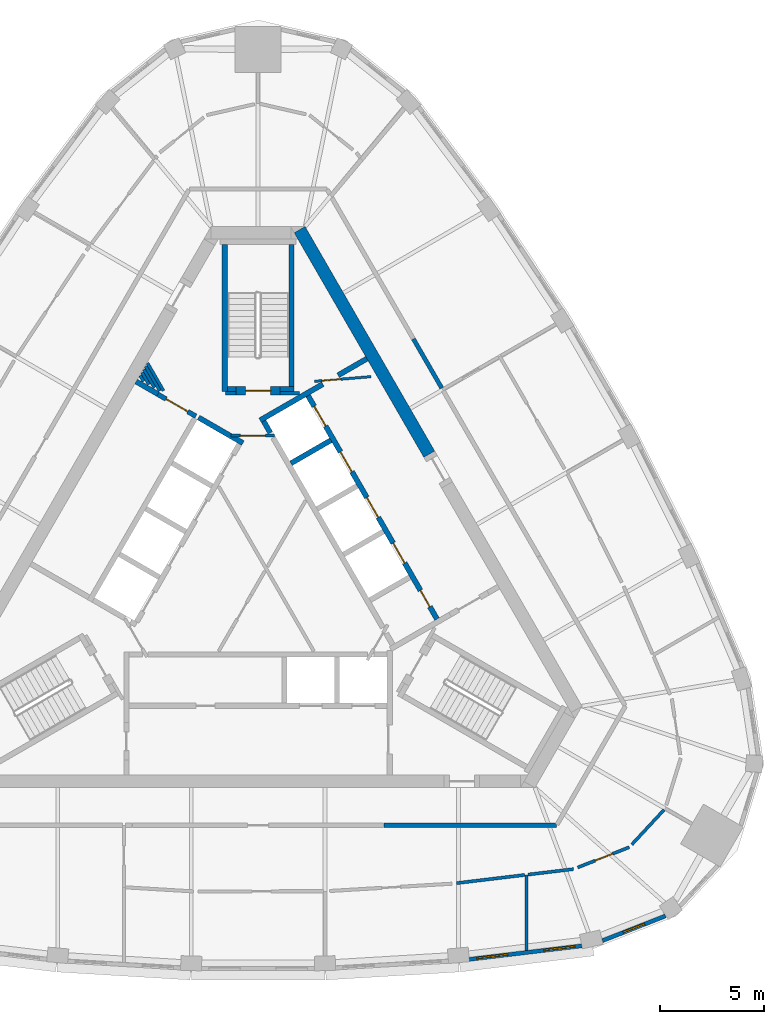
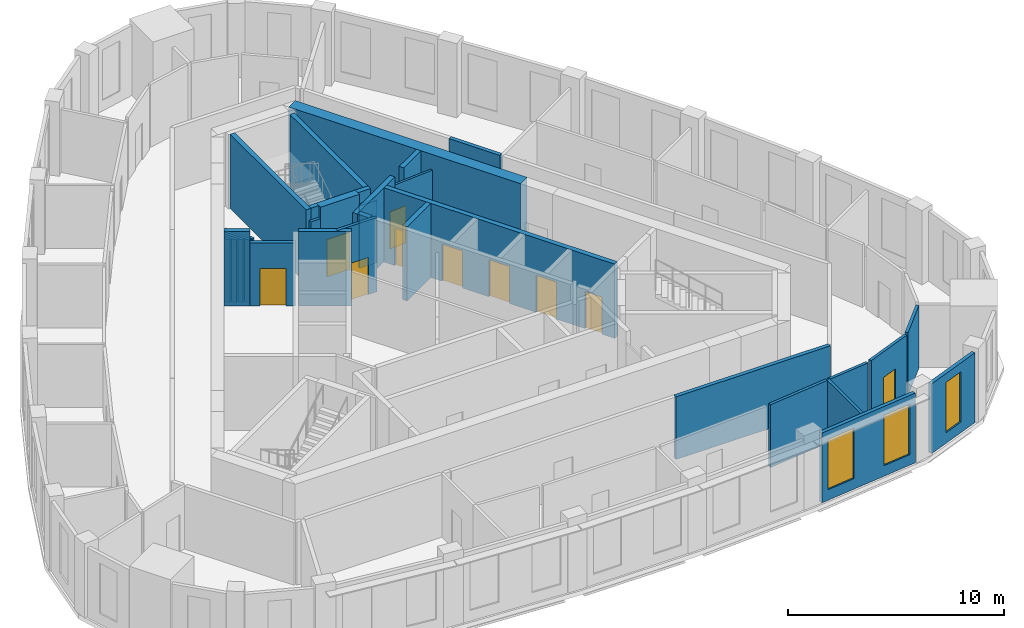
# One storey, part 6 of 10: 32 walls, 10 doors, 3 windows, 13 openings.
"""IFC4 building model written with IfcOpenShell, lengths in metres."""

from ifc_helpers import new_model, si_unit, direction, frame, frame_2d, origin, place, context, subcontext, project, spatial, polyline, rectangle, outline, extrude, material, layer, layer_set, type_object, element, fill, save


model = new_model("IFC4")

# Units and contexts
model_context = context("Model", 3, precision=1e-05, world=origin(), true_north=direction((0.0, 1.0)))
body_context = subcontext(model_context, "Body", "Model", "MODEL_VIEW")
ifc_project = project(units=[si_unit("LENGTHUNIT", "METRE"), si_unit("AREAUNIT", "SQUARE_METRE"), si_unit("VOLUMEUNIT", "CUBIC_METRE"), si_unit("PLANEANGLEUNIT", "RADIAN"), si_unit("MASSUNIT", "GRAM", prefix="KILO")], contexts=[model_context])

# Site, building, storey
site_placement = place(None, origin())
site = spatial("IfcSite", under=ifc_project, at=site_placement, CompositionType="ELEMENT")
building_placement = place(site_placement, origin())
building = spatial("IfcBuilding", under=site, at=building_placement, Name="Mestral Congress Tower", CompositionType="ELEMENT")
storey_placement = place(building_placement, frame((0.0, 0.0, 279.60009765625)))
storey = spatial("IfcBuildingStorey", under=building, at=storey_placement, Name="L65", CompositionType="ELEMENT", Elevation=279.60009765625)

# Walls
ifc_material_1 = material(Name="Fire-rated board partition")
ifc_layer_1 = layer(ifc_material_1, 0.14990234375)
ifc_layer_set_1 = layer_set([ifc_layer_1], Name="Fire-rated board partition")
wall_type_1 = type_object("IfcWallType", Name="Core partition 150", PredefinedType="PARTITIONING", material=ifc_layer_set_1)
wall_1_placement = place(storey_placement, frame((-5.2939453125, 10.067138671875, 0.0), z_axis=(0.0, 0.0, 1.0), x_axis=(0.500054140411, -0.865994143547, 0.0)))
element("IfcWall", 1, at=wall_1_placement, inside=storey, type_object=wall_type_1, Name="L65 core wall", PredefinedType="PARTITIONING", context=body_context, shape_type="SweptSolid", body=[
    extrude(rectangle(XDim=1.529052734375, YDim=0.14990234375, at=frame_2d((0.7646484375, 0.0))), origin(), (0.0, 0.0, 1.0), 3.5498046875),
])
wall_2_placement = place(storey_placement, frame((-5.380615234375, 9.917236328125, 0.0), z_axis=(0.0, 0.0, 1.0), x_axis=(0.500136970483, -0.865946309396, 0.0)))
element("IfcWall", 2, at=wall_2_placement, inside=storey, type_object=wall_type_1, Name="L65 core wall", PredefinedType="PARTITIONING", context=body_context, shape_type="SweptSolid", body=[
    extrude(rectangle(XDim=1.359375, YDim=0.14990234375, at=frame_2d((0.6796875, 0.0))), origin(), (0.0, 0.0, 1.0), 3.5498046875),
])
wall_3_placement = place(storey_placement, frame((-5.467041015625, 9.76708984375, 0.0), z_axis=(0.0, 0.0, 1.0), x_axis=(0.500168849293, -0.86592789665, 0.0)))
element("IfcWall", 3, at=wall_3_placement, inside=storey, type_object=wall_type_1, Name="L65 core wall", PredefinedType="PARTITIONING", context=body_context, shape_type="SweptSolid", body=[
    extrude(rectangle(XDim=1.010009765625, YDim=0.14990234375, at=frame_2d((0.5048828125, 0.0))), origin(), (0.0, 0.0, 1.0), 3.5498046875),
])
wall_4_placement = place(storey_placement, frame((-5.5537109375, 9.6171875, 0.0), z_axis=(0.0, 0.0, 1.0), x_axis=(0.500253084543, -0.86587923604, 0.0)))
element("IfcWall", 4, at=wall_4_placement, inside=storey, type_object=wall_type_1, Name="L65 core wall", PredefinedType="PARTITIONING", context=body_context, shape_type="SweptSolid", body=[
    extrude(rectangle(XDim=0.663818359375, YDim=0.14990234375, at=frame_2d((0.33203125, 0.0))), origin(), (0.0, 0.0, 1.0), 3.5498046875),
])
wall_5_placement = place(storey_placement, frame((-5.640380859375, 9.46728515625, 0.0), z_axis=(0.0, 0.0, 1.0), x_axis=(0.499944387978, -0.86605750902, 0.0)))
element("IfcWall", 5, at=wall_5_placement, inside=storey, type_object=wall_type_1, Name="L65 core wall", PredefinedType="PARTITIONING", context=body_context, shape_type="SweptSolid", body=[
    extrude(rectangle(XDim=0.3173828125, YDim=0.14990234375, at=frame_2d((0.15869140625, 0.0))), origin(), (0.0, 0.0, 1.0), 3.5498046875),
])
wall_6_placement = place(storey_placement, frame((1.050048828125, 8.62548828125, 0.0), z_axis=(0.0, 0.0, 1.0), x_axis=(1.0, 0.0, 0.0)))
element("IfcWall", 6, at=wall_6_placement, inside=storey, type_object=wall_type_1, Name="L65 core wall", PredefinedType="PARTITIONING", context=body_context, shape_type="SweptSolid", body=[
    extrude(rectangle(XDim=0.9287109375, YDim=0.14990234375, at=frame_2d((0.46435546875, 0.0))), origin(), (0.0, 0.0, 1.0), 3.5498046875),
])
wall_7_placement = place(storey_placement, frame((-1.56396484375, 8.62548828125, 0.0), z_axis=(0.0, 0.0, 1.0), x_axis=(1.0, 0.0, 0.0)))
element("IfcWall", 7, at=wall_7_placement, inside=storey, type_object=wall_type_1, Name="L65 core wall", PredefinedType="PARTITIONING", context=body_context, shape_type="SweptSolid", body=[
    extrude(rectangle(XDim=0.513916015625, YDim=0.14990234375, at=frame_2d((0.2568359375, 0.0))), origin(), (0.0, 0.0, 1.0), 3.5498046875),
])

# Wall, opening, door
ifc_layer_2 = layer(ifc_material_1, 0.1201171875)
ifc_layer_set_2 = layer_set([ifc_layer_2], Name="Fire-rated board partition")
wall_type_2 = type_object("IfcWallType", Name="Core partition 150 door-wall 120", PredefinedType="PARTITIONING", material=ifc_layer_set_2)
wall_8_placement = place(storey_placement, frame((5.3984375, 9.418701171875, 0.0), z_axis=(0.0, 0.0, 1.0), x_axis=(-0.996653416376, -0.081743303248, 0.0)))
wall_8 = element("IfcWall", 8, at=wall_8_placement, inside=storey, type_object=wall_type_2, Name="L65 door wall", PredefinedType="PARTITIONING", context=body_context, shape_type="SweptSolid", body=[
    extrude(rectangle(XDim=2.699951171875, YDim=0.119873046875, at=frame_2d((1.35009765625, 0.0))), origin(), (0.0, 0.0, 1.0), 3.5498046875),
])
opening_1_placement = place(wall_8_placement, frame((1.449951171875, 0.0, 0.0)))
opening_1 = element("IfcOpeningElement", 9, at=opening_1_placement, cuts=wall_8, Name="Opening TD2", PredefinedType="OPENING", context=body_context, shape_type="SweptSolid", body=[
    extrude(rectangle(XDim=0.89990234375, YDim=2.10009765625, at=frame_2d((0.449951171875, 1.050048828125))), frame((0.0, 0.06982421875, 0.0), z_axis=(0.0, -1.0, 0.0), x_axis=(1.0, 0.0, 0.0)), (0.0, 0.0, 1.0), 0.139892578125),
])
ifc_material_2 = material(Name="Fire-rated steel door set", Category="steel")
door_type_1 = type_object("IfcDoorType", Name="Core door SR 900x2100", OperationType="SINGLE_SWING_LEFT", PredefinedType="DOOR", material=ifc_material_2)
door_1_placement = place(opening_1_placement, origin())
door_1 = element("IfcDoor", 10, at=door_1_placement, inside=storey, type_object=door_type_1, Name="Door TD2", OperationType="SINGLE_SWING_LEFT", OverallHeight=2.10009765625, OverallWidth=0.89990234375, PredefinedType="DOOR", context=body_context, shape_type="SweptSolid", body=[
    extrude(rectangle(XDim=0.89990234375, YDim=2.10009765625, at=frame_2d((0.449951171875, 1.050048828125))), frame((0.0, 0.02490234375, 0.0), z_axis=(0.0, -1.0, 0.0), x_axis=(1.0, 0.0, 0.0)), (0.0, 0.0, 1.0), 0.050048828125),
])
fill(opening_1, door_1)

ifc_layer_3 = layer(ifc_material_1, 0.22607421875)
ifc_layer_set_3 = layer_set([ifc_layer_3], Name="Fire-rated board partition")
wall_type_3 = type_object("IfcWallType", Name="Core partition 150 door-wall 226", PredefinedType="PARTITIONING", material=ifc_layer_set_3)
wall_9_placement = place(storey_placement, frame((-4.796142578125, 8.5751953125, 0.0), z_axis=(0.0, 0.0, 1.0), x_axis=(0.866009402589, -0.500027713859, 0.0)))
wall_9 = element("IfcWall", 11, at=wall_9_placement, inside=storey, type_object=wall_type_3, Name="L65 door wall", PredefinedType="PARTITIONING", context=body_context, shape_type="SweptSolid", body=[
    extrude(rectangle(XDim=2.10009765625, YDim=0.226318359375, at=frame_2d((1.050048828125, 0.0))), origin(), (0.0, 0.0, 1.0), 3.5498046875),
])
opening_2_placement = place(wall_9_placement, frame((0.449951171875, 0.0, 0.0)))
opening_2 = element("IfcOpeningElement", 12, at=opening_2_placement, cuts=wall_9, Name="Opening LB2-WL2", PredefinedType="OPENING", context=body_context, shape_type="SweptSolid", body=[
    extrude(rectangle(XDim=1.199951171875, YDim=2.10009765625, at=frame_2d((0.60009765625, 1.050048828125))), frame((0.0, 0.123046875, 0.0), z_axis=(0.0, -1.0, 0.0), x_axis=(1.0, 0.0, 0.0)), (0.0, 0.0, 1.0), 0.246337890625),
])
door_type_2 = type_object("IfcDoorType", Name="Core door LB 1200x2100", OperationType="SINGLE_SWING_LEFT", PredefinedType="DOOR", material=ifc_material_2)
door_2_placement = place(opening_2_placement, origin())
door_2 = element("IfcDoor", 13, at=door_2_placement, inside=storey, type_object=door_type_2, Name="Door LB2-WL2", OperationType="SINGLE_SWING_LEFT", OverallHeight=2.10009765625, OverallWidth=1.199951171875, PredefinedType="DOOR", context=body_context, shape_type="SweptSolid", body=[
    extrude(rectangle(XDim=1.199951171875, YDim=2.10009765625, at=frame_2d((0.60009765625, 1.050048828125))), frame((0.0, 0.02490234375, 0.0), z_axis=(0.0, -1.0, 0.0), x_axis=(1.0, 0.0, 0.0)), (0.0, 0.0, 1.0), 0.050048828125),
])
fill(opening_2, door_2)

# Wall
ifc_material_3 = material(Name="Concrete C60/75", Category="concrete")
ifc_layer_4 = layer(ifc_material_3, 0.60009765625)
ifc_layer_set_4 = layer_set([ifc_layer_4], Name="Concrete C60/75")
wall_type_4 = type_object("IfcWallType", Name="Core wall RC 600", PredefinedType="SOLIDWALL", material=ifc_layer_set_4)
wall_10_placement = place(storey_placement, frame((1.98876953125, 16.45556640625, 0.0), z_axis=(0.0, 0.0, 1.0), x_axis=(0.49999102663, -0.8660305845, 0.0)))
element("IfcWall", 14, at=wall_10_placement, inside=storey, type_object=wall_type_4, Name="L65 core wall", PredefinedType="SOLIDWALL", context=body_context, shape_type="SweptSolid", body=[
    extrude(rectangle(XDim=12.406494140625, YDim=0.60009765625, at=frame_2d((6.203125, 0.0))), origin(), (0.0, 0.0, 1.0), 4.199951171875),
])

# Wall, openings, windows
ifc_material_4 = material(Name="Precast concrete C40/50 with limestone facing", Category="masonry")
ifc_layer_5 = layer(ifc_material_4, 0.18994140625)
ifc_layer_set_5 = layer_set([ifc_layer_5], Name="Precast concrete C40/50 with limestone facing")
wall_type_5 = type_object("IfcWallType", Name="Facade stone wall 190", PredefinedType="SOLIDWALL", material=ifc_layer_set_5)
wall_11_placement = place(storey_placement, frame((10.110595703125, -18.4677734375, 0.0), z_axis=(0.0, 0.0, 1.0), x_axis=(0.992885582795, 0.119072328769, 0.0)))
wall_11 = element("IfcWall", 15, at=wall_11_placement, inside=storey, type_object=wall_type_5, Name="Facade wall F0-04", PredefinedType="SOLIDWALL", context=body_context, shape_type="SweptSolid", body=[
    extrude(rectangle(XDim=5.4150390625, YDim=0.18994140625, at=frame_2d((2.70751953125, 0.0))), origin(), (0.0, 0.0, 1.0), 3.949951171875),
])
opening_3_placement = place(wall_11_placement, frame((0.357421875, 0.0, 0.60009765625)))
opening_3 = element("IfcOpeningElement", 16, at=opening_3_placement, cuts=wall_11, Name="Opening W6", PredefinedType="OPENING", context=body_context, shape_type="SweptSolid", body=[
    extrude(rectangle(XDim=1.5, YDim=2.85009765625, at=frame_2d((0.75, 1.425048828125))), frame((0.0, 0.10498046875, 0.0), z_axis=(0.0, -1.0, 0.0), x_axis=(1.0, 0.0, 0.0)), (0.0, 0.0, 1.0), 0.2099609375),
])
opening_4_placement = place(wall_11_placement, frame((3.592529296875, 0.0, 0.60009765625)))
opening_4 = element("IfcOpeningElement", 17, at=opening_4_placement, cuts=wall_11, Name="Opening W6", PredefinedType="OPENING", context=body_context, shape_type="SweptSolid", body=[
    extrude(rectangle(XDim=1.5, YDim=2.85009765625, at=frame_2d((0.75, 1.425048828125))), frame((0.0, 0.10498046875, 0.0), z_axis=(0.0, -1.0, 0.0), x_axis=(1.0, 0.0, 0.0)), (0.0, 0.0, 1.0), 0.2099609375),
])
ifc_material_5 = material(Name="Clear low-emissivity double glazing", Category="glass")
window_type_1 = type_object("IfcWindowType", Name="Facade punched window 1500 x 2850 sill 600", PartitioningType="SINGLE_PANEL", PredefinedType="WINDOW", material=ifc_material_5)
window_1_placement = place(opening_3_placement, origin())
window_1 = element("IfcWindow", 18, at=window_1_placement, inside=storey, type_object=window_type_1, Name="Window F0-04a", OverallHeight=2.85009765625, OverallWidth=1.5, PartitioningType="SINGLE_PANEL", PredefinedType="WINDOW", context=body_context, shape_type="SweptSolid", body=[
    extrude(rectangle(XDim=1.5, YDim=2.85009765625, at=frame_2d((0.75, 1.425048828125))), frame((0.0, 0.044921875, 0.0), z_axis=(0.0, -1.0, 0.0), x_axis=(1.0, 0.0, 0.0)), (0.0, 0.0, 1.0), 0.06005859375),
])
fill(opening_3, window_1)
window_2_placement = place(opening_4_placement, origin())
window_2 = element("IfcWindow", 19, at=window_2_placement, inside=storey, type_object=window_type_1, Name="Window F0-04b", OverallHeight=2.85009765625, OverallWidth=1.5, PartitioningType="SINGLE_PANEL", PredefinedType="WINDOW", context=body_context, shape_type="SweptSolid", body=[
    extrude(rectangle(XDim=1.5, YDim=2.85009765625, at=frame_2d((0.75, 1.425048828125))), frame((0.0, 0.044921875, 0.0), z_axis=(0.0, -1.0, 0.0), x_axis=(1.0, 0.0, 0.0)), (0.0, 0.0, 1.0), 0.06005859375),
])
fill(opening_4, window_2)

# Wall, opening, window
wall_12_placement = place(storey_placement, frame((16.48291015625, -17.572998046875, 0.0), z_axis=(0.0, 0.0, 1.0), x_axis=(0.93100888477, 0.364996515709, 0.0)))
wall_12 = element("IfcWall", 20, at=wall_12_placement, inside=storey, type_object=wall_type_5, Name="Facade wall K0-0", PredefinedType="SOLIDWALL", context=body_context, shape_type="SweptSolid", body=[
    extrude(rectangle(XDim=3.23681640625, YDim=0.18994140625, at=frame_2d((1.618408203125, 0.0))), origin(), (0.0, 0.0, 1.0), 3.949951171875),
])
opening_5_placement = place(wall_12_placement, frame((1.068359375, 0.0, 0.60009765625)))
opening_5 = element("IfcOpeningElement", 21, at=opening_5_placement, cuts=wall_12, Name="Opening W7", PredefinedType="OPENING", context=body_context, shape_type="SweptSolid", body=[
    extrude(rectangle(XDim=1.10009765625, YDim=2.85009765625, at=frame_2d((0.550048828125, 1.425048828125))), frame((0.0, 0.10498046875, 0.0), z_axis=(0.0, -1.0, 0.0), x_axis=(1.0, 0.0, 0.0)), (0.0, 0.0, 1.0), 0.2099609375),
])
window_type_2 = type_object("IfcWindowType", Name="Facade punched window 1100 x 2850 sill 600", PartitioningType="SINGLE_PANEL", PredefinedType="WINDOW", material=ifc_material_5)
window_3_placement = place(opening_5_placement, origin())
window_3 = element("IfcWindow", 22, at=window_3_placement, inside=storey, type_object=window_type_2, Name="Window K0-0", OverallHeight=2.85009765625, OverallWidth=1.10009765625, PartitioningType="SINGLE_PANEL", PredefinedType="WINDOW", context=body_context, shape_type="SweptSolid", body=[
    extrude(rectangle(XDim=1.10009765625, YDim=2.85009765625, at=frame_2d((0.550048828125, 1.425048828125))), frame((0.0, 0.044921875, 0.0), z_axis=(0.0, -1.0, 0.0), x_axis=(1.0, 0.0, 0.0)), (0.0, 0.0, 1.0), 0.06005859375),
])
fill(opening_5, window_3)

# Walls
ifc_material_6 = material(Name="Plasterboard partition on steel studs", Category="steel")
ifc_layer_6 = layer(ifc_material_6, 0.14990234375)
ifc_layer_set_6 = layer_set([ifc_layer_6], Name="Plasterboard partition on steel studs")
wall_type_6 = type_object("IfcWallType", Name="Office partition 150", PredefinedType="PARTITIONING", material=ifc_layer_set_6)
wall_13_placement = place(storey_placement, frame((12.83935546875, -14.419189453125, 0.0), z_axis=(0.0, 0.0, 1.0), x_axis=(0.0, -1.0, 0.0)))
element("IfcWall", 23, at=wall_13_placement, inside=storey, type_object=wall_type_6, Name="Partition", PredefinedType="PARTITIONING", context=body_context, shape_type="SweptSolid", body=[
    extrude(rectangle(XDim=3.625732421875, YDim=0.14990234375, at=frame_2d((1.81298828125, 0.0))), origin(), (0.0, 0.0, 1.0), 3.5498046875),
])
wall_14_placement = place(storey_placement, frame((9.492431640625, -14.8203125, 0.0), z_axis=(0.0, 0.0, 1.0), x_axis=(0.992887701721, 0.119054658757, 0.0)))
element("IfcWall", 24, at=wall_14_placement, inside=storey, type_object=wall_type_6, Name="Partition", PredefinedType="PARTITIONING", context=body_context, shape_type="SweptSolid", body=[
    extrude(rectangle(XDim=3.29541015625, YDim=0.14990234375, at=frame_2d((1.647705078125, 0.0))), origin(), (0.0, 0.0, 1.0), 3.5498046875),
])
wall_15_placement = place(storey_placement, frame((12.914306640625, -14.41015625, 0.0), z_axis=(0.0, 0.0, 1.0), x_axis=(0.99288472801, 0.119079456181, 0.0)))
element("IfcWall", 25, at=wall_15_placement, inside=storey, type_object=wall_type_6, Name="Partition", PredefinedType="PARTITIONING", context=body_context, shape_type="SweptSolid", body=[
    extrude(rectangle(XDim=2.19580078125, YDim=0.14990234375, at=frame_2d((1.097900390625, 0.0))), origin(), (0.0, 0.0, 1.0), 3.5498046875),
])

# Wall, opening, door
wall_16_placement = place(storey_placement, frame((17.767333984375, -13.1005859375, 0.0), z_axis=(0.0, 0.0, 1.0), x_axis=(-0.930971361221, -0.365092213812, 0.0)))
wall_16 = element("IfcWall", 26, at=wall_16_placement, inside=storey, type_object=wall_type_6, Name="Partition", PredefinedType="PARTITIONING", context=body_context, shape_type="SweptSolid", body=[
    extrude(rectangle(XDim=2.65673828125, YDim=0.14990234375, at=frame_2d((1.328369140625, 0.0))), origin(), (0.0, 0.0, 1.0), 3.5498046875),
])
opening_6_placement = place(wall_16_placement, frame((0.856689453125, 0.0, 0.0)))
opening_6 = element("IfcOpeningElement", 27, at=opening_6_placement, cuts=wall_16, Name="Opening O12-004", PredefinedType="OPENING", context=body_context, shape_type="SweptSolid", body=[
    extrude(rectangle(XDim=0.89990234375, YDim=2.10009765625, at=frame_2d((0.449951171875, 1.050048828125))), frame((0.0, 0.0849609375, 0.0), z_axis=(0.0, -1.0, 0.0), x_axis=(1.0, 0.0, 0.0)), (0.0, 0.0, 1.0), 0.169921875),
])
ifc_material_7 = material(Name="Timber door set", Category="wood")
door_type_3 = type_object("IfcDoorType", Name="Office door 900x2100", OperationType="SINGLE_SWING_LEFT", PredefinedType="DOOR", material=ifc_material_7)
door_3_placement = place(opening_6_placement, origin())
door_3 = element("IfcDoor", 28, at=door_3_placement, inside=storey, type_object=door_type_3, Name="Door O12-004", OperationType="SINGLE_SWING_LEFT", OverallHeight=2.10009765625, OverallWidth=0.89990234375, PredefinedType="DOOR", context=body_context, shape_type="SweptSolid", body=[
    extrude(rectangle(XDim=0.89990234375, YDim=2.10009765625, at=frame_2d((0.449951171875, 1.050048828125))), frame((0.0, 0.02490234375, 0.0), z_axis=(0.0, -1.0, 0.0), x_axis=(1.0, 0.0, 0.0)), (0.0, 0.0, 1.0), 0.050048828125),
])
fill(opening_6, door_3)

# Walls
wall_17_placement = place(storey_placement, frame((17.885009765625, -12.97412109375, 0.0), z_axis=(0.0, 0.0, 1.0), x_axis=(0.680220611996, 0.733007448132, 0.0)))
element("IfcWall", 29, at=wall_17_placement, inside=storey, type_object=wall_type_6, Name="Partition", PredefinedType="PARTITIONING", context=body_context, shape_type="SweptSolid", body=[
    extrude(rectangle(XDim=2.275634765625, YDim=0.14990234375, at=frame_2d((1.1376953125, 0.0))), origin(), (0.0, 0.0, 1.0), 3.5498046875),
])
ifc_material_8 = material(Name="Dense masonry wall, plastered", Category="masonry")
ifc_layer_7 = layer(ifc_material_8, 0.199951171875)
ifc_layer_set_7 = layer_set([ifc_layer_7], Name="Dense masonry wall, plastered")
wall_type_7 = type_object("IfcWallType", Name="Office tenancy wall 200", PredefinedType="PARTITIONING", material=ifc_layer_set_7)
wall_18_placement = place(storey_placement, frame((6.030029296875, -12.050048828125, 0.0), z_axis=(0.0, 0.0, 1.0), x_axis=(1.0, 0.0, 0.0)))
element("IfcWall", 30, at=wall_18_placement, inside=storey, type_object=wall_type_7, Name="Tenancy wall", PredefinedType="PARTITIONING", context=body_context, shape_type="SweptSolid", body=[
    extrude(rectangle(XDim=8.25927734375, YDim=0.199951171875, at=frame_2d((4.129638671875, 0.0))), origin(), (0.0, 0.0, 1.0), 3.5498046875),
])
wall_19_placement = place(storey_placement, frame((8.79150390625, 8.87255859375, 0.0), z_axis=(0.0, 0.0, 1.0), x_axis=(-0.499992600721, 0.866029675718, 0.0)))
element("IfcWall", 31, at=wall_19_placement, inside=storey, type_object=wall_type_7, Name="Tenancy wall", PredefinedType="PARTITIONING", context=body_context, shape_type="SweptSolid", body=[
    extrude(rectangle(XDim=2.7119140625, YDim=0.199951171875, at=frame_2d((1.35595703125, 0.0))), origin(), (0.0, 0.0, 1.0), 3.5498046875),
])
ifc_layer_8 = layer(ifc_material_3, 0.25)
ifc_layer_set_8 = layer_set([ifc_layer_8], Name="Concrete C60/75")
wall_type_8 = type_object("IfcWallType", Name="Shaft wall RC 250", PredefinedType="SOLIDWALL", material=ifc_layer_set_8)
wall_20_placement = place(storey_placement, frame((3.10009765625, 9.064453125, 0.0), z_axis=(0.0, 0.0, 1.0), x_axis=(-0.866033137035, -0.499986605379, 0.0)))
element("IfcWall", 32, at=wall_20_placement, inside=storey, type_object=wall_type_8, Name="L65 core wall", PredefinedType="SOLIDWALL", context=body_context, shape_type="SweptSolid", body=[
    extrude(rectangle(XDim=3.466796875, YDim=0.25, at=frame_2d((1.7333984375, 0.0))), origin(), (0.0, 0.0, 1.0), 4.199951171875),
])
wall_21_placement = place(storey_placement, frame((0.268310546875, 7.28515625, 0.0), z_axis=(0.0, 0.0, 1.0), x_axis=(0.500098681536, -0.865968422476, 0.0)))
element("IfcWall", 33, at=wall_21_placement, inside=storey, type_object=wall_type_8, Name="L65 core wall", PredefinedType="SOLIDWALL", context=body_context, shape_type="SweptSolid", body=[
    extrude(rectangle(XDim=0.636474609375, YDim=0.25, at=frame_2d((0.318359375, 0.0))), origin(), (0.0, 0.0, 1.0), 4.199951171875),
])
wall_22_placement = place(storey_placement, frame((1.57421875, 5.273681640625, 0.0), z_axis=(0.0, 0.0, 1.0), x_axis=(0.866028486751, 0.499994660107, 0.0)))
element("IfcWall", 34, at=wall_22_placement, inside=storey, type_object=wall_type_8, Name="L65 core wall", PredefinedType="SOLIDWALL", context=body_context, shape_type="SweptSolid", body=[
    extrude(rectangle(XDim=2.19970703125, YDim=0.25, at=frame_2d((1.099853515625, 0.0))), origin(), (0.0, 0.0, 1.0), 4.199951171875),
])
wall_23_placement = place(storey_placement, frame((3.82958984375, 9.485595703125, 0.0), z_axis=(0.0, 0.0, 1.0), x_axis=(0.865986202621, 0.500067892261, 0.0)))
element("IfcWall", 35, at=wall_23_placement, inside=storey, type_object=wall_type_8, Name="L65 core wall", PredefinedType="SOLIDWALL", context=body_context, shape_type="SweptSolid", body=[
    extrude(rectangle(XDim=1.590576171875, YDim=0.25, at=frame_2d((0.79541015625, 0.0))), origin(), (0.0, 0.0, 1.0), 4.199951171875),
])
wall_24_placement = place(storey_placement, origin())
element("IfcWall", 36, at=wall_24_placement, inside=storey, type_object=wall_type_8, Name="L65 core wall", PredefinedType="SOLIDWALL", context=body_context, shape_type="SweptSolid", body=[
    extrude(outline(polyline([(-2.911865234375, 7.3564453125), (-2.786865234375, 7.572998046875), (-1.231689453125, 6.675048828125), (-1.303466796875, 6.675048828125), (-1.3037109375, 6.675048828125), (-1.3037109375, 6.675048828125), (-1.3037109375, 6.52490234375), (-1.3037109375, 6.52490234375), (-1.303466796875, 6.52490234375), (-0.971435546875, 6.52490234375), (-0.6650390625, 6.347900390625), (-0.7900390625, 6.131591796875), (-1.006591796875, 6.256591796875), (-1.006591796875, 6.256591796875), (-2.911865234375, 7.3564453125)])), origin(), (0.0, 0.0, 1.0), 4.199951171875),
])
wall_25_placement = place(storey_placement, frame((-5.837158203125, 9.189697265625, 0.0), z_axis=(0.0, 0.0, 1.0), x_axis=(0.866024298998, -0.500001913541, 0.0)))
element("IfcWall", 37, at=wall_25_placement, inside=storey, type_object=wall_type_8, Name="L65 core wall", PredefinedType="SOLIDWALL", context=body_context, shape_type="SweptSolid", body=[
    extrude(rectangle(XDim=1.2099609375, YDim=0.25, at=frame_2d((0.60498046875, 0.0))), origin(), (0.0, 0.0, 1.0), 4.199951171875),
])

# Wall, openings, doors
wall_26_placement = place(storey_placement, frame((8.565185546875, -2.185302734375, 0.0), z_axis=(0.0, 0.0, 1.0), x_axis=(-0.499997954832, 0.866026584559, 0.0)))
wall_26 = element("IfcWall", 38, at=wall_26_placement, inside=storey, type_object=wall_type_8, Name="L65 door wall", PredefinedType="SOLIDWALL", context=body_context, shape_type="SweptSolid", body=[
    extrude(rectangle(XDim=12.35009765625, YDim=0.25, at=frame_2d((6.175048828125, 0.0))), origin(), (0.0, 0.0, 1.0), 4.199951171875),
])
opening_7_placement = place(wall_26_placement, frame((0.68505859375, 0.0, 0.0)))
opening_7 = element("IfcOpeningElement", 39, at=opening_7_placement, cuts=wall_26, Name="Opening SR-NEB1", PredefinedType="OPENING", context=body_context, shape_type="SweptSolid", body=[
    extrude(rectangle(XDim=0.89990234375, YDim=2.10009765625, at=frame_2d((0.449951171875, 1.050048828125))), frame((0.0, 0.135009765625, 0.0), z_axis=(0.0, -1.0, 0.0), x_axis=(1.0, 0.0, 0.0)), (0.0, 0.0, 1.0), 0.27001953125),
])
opening_8_placement = place(wall_26_placement, frame((3.10498046875, 0.0, 0.0)))
opening_8 = element("IfcOpeningElement", 40, at=opening_8_placement, cuts=wall_26, Name="Opening LD-NEB2", PredefinedType="OPENING", context=body_context, shape_type="SweptSolid", body=[
    extrude(rectangle(XDim=1.10009765625, YDim=2.10009765625, at=frame_2d((0.550048828125, 1.050048828125))), frame((0.0, 0.135009765625, 0.0), z_axis=(0.0, -1.0, 0.0), x_axis=(1.0, 0.0, 0.0)), (0.0, 0.0, 1.0), 0.27001953125),
])
opening_9_placement = place(wall_26_placement, frame((5.625, 0.0, 0.0)))
opening_9 = element("IfcOpeningElement", 41, at=opening_9_placement, cuts=wall_26, Name="Opening LD-NEB3", PredefinedType="OPENING", context=body_context, shape_type="SweptSolid", body=[
    extrude(rectangle(XDim=1.10009765625, YDim=2.10009765625, at=frame_2d((0.550048828125, 1.050048828125))), frame((0.0, 0.135009765625, 0.0), z_axis=(0.0, -1.0, 0.0), x_axis=(1.0, 0.0, 0.0)), (0.0, 0.0, 1.0), 0.27001953125),
])
opening_10_placement = place(wall_26_placement, frame((8.14501953125, 0.0, 0.0)))
opening_10 = element("IfcOpeningElement", 42, at=opening_10_placement, cuts=wall_26, Name="Opening LD-NEB4", PredefinedType="OPENING", context=body_context, shape_type="SweptSolid", body=[
    extrude(rectangle(XDim=1.10009765625, YDim=2.10009765625, at=frame_2d((0.550048828125, 1.050048828125))), frame((0.0, 0.135009765625, 0.0), z_axis=(0.0, -1.0, 0.0), x_axis=(1.0, 0.0, 0.0)), (0.0, 0.0, 1.0), 0.27001953125),
])
opening_11_placement = place(wall_26_placement, frame((10.6650390625, 0.0, 0.0)))
opening_11 = element("IfcOpeningElement", 43, at=opening_11_placement, cuts=wall_26, Name="Opening LD-NEB5", PredefinedType="OPENING", context=body_context, shape_type="SweptSolid", body=[
    extrude(rectangle(XDim=1.10009765625, YDim=2.10009765625, at=frame_2d((0.550048828125, 1.050048828125))), frame((0.0, 0.135009765625, 0.0), z_axis=(0.0, -1.0, 0.0), x_axis=(1.0, 0.0, 0.0)), (0.0, 0.0, 1.0), 0.27001953125),
])
door_type_4 = type_object("IfcDoorType", Name="Core door LD 1100x2100", OperationType="DOUBLE_DOOR_SLIDING", PredefinedType="DOOR", material=ifc_material_2)
door_4_placement = place(opening_8_placement, origin())
door_4 = element("IfcDoor", 44, at=door_4_placement, inside=storey, type_object=door_type_4, Name="Door LD-NEB2", OperationType="DOUBLE_DOOR_SLIDING", OverallHeight=2.10009765625, OverallWidth=1.10009765625, PredefinedType="DOOR", context=body_context, shape_type="SweptSolid", body=[
    extrude(rectangle(XDim=1.10009765625, YDim=2.10009765625, at=frame_2d((0.550048828125, 1.050048828125))), frame((0.0, 0.02490234375, 0.0), z_axis=(0.0, -1.0, 0.0), x_axis=(1.0, 0.0, 0.0)), (0.0, 0.0, 1.0), 0.050048828125),
])
fill(opening_8, door_4)
door_5_placement = place(opening_9_placement, origin())
door_5 = element("IfcDoor", 45, at=door_5_placement, inside=storey, type_object=door_type_4, Name="Door LD-NEB3", OperationType="DOUBLE_DOOR_SLIDING", OverallHeight=2.10009765625, OverallWidth=1.10009765625, PredefinedType="DOOR", context=body_context, shape_type="SweptSolid", body=[
    extrude(rectangle(XDim=1.10009765625, YDim=2.10009765625, at=frame_2d((0.550048828125, 1.050048828125))), frame((0.0, 0.02490234375, 0.0), z_axis=(0.0, -1.0, 0.0), x_axis=(1.0, 0.0, 0.0)), (0.0, 0.0, 1.0), 0.050048828125),
])
fill(opening_9, door_5)
door_6_placement = place(opening_10_placement, origin())
door_6 = element("IfcDoor", 46, at=door_6_placement, inside=storey, type_object=door_type_4, Name="Door LD-NEB4", OperationType="DOUBLE_DOOR_SLIDING", OverallHeight=2.10009765625, OverallWidth=1.10009765625, PredefinedType="DOOR", context=body_context, shape_type="SweptSolid", body=[
    extrude(rectangle(XDim=1.10009765625, YDim=2.10009765625, at=frame_2d((0.550048828125, 1.050048828125))), frame((0.0, 0.02490234375, 0.0), z_axis=(0.0, -1.0, 0.0), x_axis=(1.0, 0.0, 0.0)), (0.0, 0.0, 1.0), 0.050048828125),
])
fill(opening_10, door_6)
door_7_placement = place(opening_11_placement, origin())
door_7 = element("IfcDoor", 47, at=door_7_placement, inside=storey, type_object=door_type_4, Name="Door LD-NEB5", OperationType="DOUBLE_DOOR_SLIDING", OverallHeight=2.10009765625, OverallWidth=1.10009765625, PredefinedType="DOOR", context=body_context, shape_type="SweptSolid", body=[
    extrude(rectangle(XDim=1.10009765625, YDim=2.10009765625, at=frame_2d((0.550048828125, 1.050048828125))), frame((0.0, 0.02490234375, 0.0), z_axis=(0.0, -1.0, 0.0), x_axis=(1.0, 0.0, 0.0)), (0.0, 0.0, 1.0), 0.050048828125),
])
fill(opening_11, door_7)
door_8_placement = place(opening_7_placement, origin())
door_8 = element("IfcDoor", 48, at=door_8_placement, inside=storey, type_object=door_type_1, Name="Door SR-NEB1", OperationType="SINGLE_SWING_LEFT", OverallHeight=2.10009765625, OverallWidth=0.89990234375, PredefinedType="DOOR", context=body_context, shape_type="SweptSolid", body=[
    extrude(rectangle(XDim=0.89990234375, YDim=2.10009765625, at=frame_2d((0.449951171875, 1.050048828125))), frame((0.0, 0.02490234375, 0.0), z_axis=(0.0, -1.0, 0.0), x_axis=(1.0, 0.0, 0.0)), (0.0, 0.0, 1.0), 0.050048828125),
])
fill(opening_7, door_8)

# Wall, opening, door
ifc_layer_9 = layer(ifc_material_3, 0.14990234375)
ifc_layer_set_9 = layer_set([ifc_layer_9], Name="Concrete C60/75")
wall_type_9 = type_object("IfcWallType", Name="Shaft wall RC 250 door-wall 150", PredefinedType="SOLIDWALL", material=ifc_layer_set_9)
wall_27_placement = place(storey_placement, frame((-1.303466796875, 6.60009765625, 0.0), z_axis=(0.0, 0.0, 1.0), x_axis=(1.0, 0.0, 0.0)))
wall_27 = element("IfcWall", 49, at=wall_27_placement, inside=storey, type_object=wall_type_9, Name="L65 door wall", PredefinedType="PARTITIONING", context=body_context, shape_type="SweptSolid", body=[
    extrude(rectangle(XDim=2.099853515625, YDim=0.14990234375, at=frame_2d((1.0498046875, 0.0))), origin(), (0.0, 0.0, 1.0), 4.199951171875),
])
opening_12_placement = place(wall_27_placement, frame((0.449951171875, 0.0, 0.0)))
opening_12 = element("IfcOpeningElement", 50, at=opening_12_placement, cuts=wall_27, Name="Opening CD2-HUB1", PredefinedType="OPENING", context=body_context, shape_type="SweptSolid", body=[
    extrude(rectangle(XDim=1.199951171875, YDim=2.10009765625, at=frame_2d((0.60009765625, 1.050048828125))), frame((0.0, 0.0849609375, 0.0), z_axis=(0.0, -1.0, 0.0), x_axis=(1.0, 0.0, 0.0)), (0.0, 0.0, 1.0), 0.169921875),
])
door_type_5 = type_object("IfcDoorType", Name="Core door CD 1200x2100", OperationType="SINGLE_SWING_LEFT", PredefinedType="DOOR", material=ifc_material_2)
door_9_placement = place(opening_12_placement, origin())
door_9 = element("IfcDoor", 51, at=door_9_placement, inside=storey, type_object=door_type_5, Name="Door CD2-HUB1", OperationType="SINGLE_SWING_LEFT", OverallHeight=2.10009765625, OverallWidth=1.199951171875, PredefinedType="DOOR", context=body_context, shape_type="SweptSolid", body=[
    extrude(rectangle(XDim=1.199951171875, YDim=2.10009765625, at=frame_2d((0.60009765625, 1.050048828125))), frame((0.0, 0.02490234375, 0.0), z_axis=(0.0, -1.0, 0.0), x_axis=(1.0, 0.0, 0.0)), (0.0, 0.0, 1.0), 0.050048828125),
])
fill(opening_12, door_9)

# Walls
ifc_layer_10 = layer(ifc_material_3, 0.25)
ifc_layer_set_10 = layer_set([ifc_layer_10], Name="Concrete C60/75")
wall_type_10 = type_object("IfcWallType", Name="Stair wall RC 250", PredefinedType="SOLIDWALL", material=ifc_layer_set_10)
wall_28_placement = place(storey_placement, frame((1.60009765625, 8.949951171875, 0.0), z_axis=(0.0, 0.0, 1.0), x_axis=(0.0, 1.0, 0.0)))
element("IfcWall", 52, at=wall_28_placement, inside=storey, type_object=wall_type_10, Name="L65 core wall", PredefinedType="SOLIDWALL", context=body_context, shape_type="SweptSolid", body=[
    extrude(rectangle(XDim=6.800048828125, YDim=0.25, at=frame_2d((3.39990234375, 0.0))), origin(), (0.0, 0.0, 1.0), 4.199951171875),
])
wall_29_placement = place(storey_placement, frame((1.050048828125, 8.824951171875, 0.0), z_axis=(0.0, 0.0, 1.0), x_axis=(1.0, 0.0, 0.0)))
element("IfcWall", 53, at=wall_29_placement, inside=storey, type_object=wall_type_10, Name="L65 core wall", PredefinedType="SOLIDWALL", context=body_context, shape_type="SweptSolid", body=[
    extrude(rectangle(XDim=0.675048828125, YDim=0.25, at=frame_2d((0.33740234375, 0.0))), origin(), (0.0, 0.0, 1.0), 4.199951171875),
])
wall_30_placement = place(storey_placement, frame((-1.60009765625, 8.699951171875, 0.0), z_axis=(0.0, 0.0, 1.0), x_axis=(0.0, 1.0, 0.0)))
element("IfcWall", 54, at=wall_30_placement, inside=storey, type_object=wall_type_10, Name="L65 core wall", PredefinedType="SOLIDWALL", context=body_context, shape_type="SweptSolid", body=[
    extrude(rectangle(XDim=7.050048828125, YDim=0.25, at=frame_2d((3.52490234375, 0.0))), origin(), (0.0, 0.0, 1.0), 4.199951171875),
])
wall_31_placement = place(storey_placement, frame((-1.47509765625, 8.824951171875, 0.0), z_axis=(0.0, 0.0, 1.0), x_axis=(1.0, 0.0, 0.0)))
element("IfcWall", 55, at=wall_31_placement, inside=storey, type_object=wall_type_10, Name="L65 core wall", PredefinedType="SOLIDWALL", context=body_context, shape_type="SweptSolid", body=[
    extrude(rectangle(XDim=0.425048828125, YDim=0.25, at=frame_2d((0.21240234375, 0.0))), origin(), (0.0, 0.0, 1.0), 4.199951171875),
])

# Wall, opening, door
ifc_layer_11 = layer(ifc_material_3, 0.39990234375)
ifc_layer_set_11 = layer_set([ifc_layer_11], Name="Concrete C60/75")
wall_type_11 = type_object("IfcWallType", Name="Stair wall RC 250 door-wall 400", PredefinedType="SOLIDWALL", material=ifc_layer_set_11)
wall_32_placement = place(storey_placement, frame((1.050048828125, 8.75, 0.0), z_axis=(0.0, 0.0, 1.0), x_axis=(-1.0, 0.0, 0.0)))
wall_32 = element("IfcWall", 56, at=wall_32_placement, inside=storey, type_object=wall_type_11, Name="L65 door wall", PredefinedType="SOLIDWALL", context=body_context, shape_type="SweptSolid", body=[
    extrude(rectangle(XDim=2.10009765625, YDim=0.39990234375, at=frame_2d((1.050048828125, 0.0))), origin(), (0.0, 0.0, 1.0), 4.199951171875),
])
opening_13_placement = place(wall_32_placement, frame((0.449951171875, 0.0, 0.0)))
opening_13 = element("IfcOpeningElement", 57, at=opening_13_placement, cuts=wall_32, Name="Opening ST-D2", PredefinedType="OPENING", context=body_context, shape_type="SweptSolid", body=[
    extrude(rectangle(XDim=1.199951171875, YDim=2.10009765625, at=frame_2d((0.60009765625, 1.050048828125))), frame((0.0, 0.2099609375, 0.0), z_axis=(0.0, -1.0, 0.0), x_axis=(1.0, 0.0, 0.0)), (0.0, 0.0, 1.0), 0.419921875),
])
door_type_6 = type_object("IfcDoorType", Name="Core door ST 1200x2100", OperationType="SINGLE_SWING_LEFT", PredefinedType="DOOR", material=ifc_material_2)
door_10_placement = place(opening_13_placement, origin())
door_10 = element("IfcDoor", 58, at=door_10_placement, inside=storey, type_object=door_type_6, Name="Door ST-D2", OperationType="SINGLE_SWING_LEFT", OverallHeight=2.10009765625, OverallWidth=1.199951171875, PredefinedType="DOOR", context=body_context, shape_type="SweptSolid", body=[
    extrude(rectangle(XDim=1.199951171875, YDim=2.10009765625, at=frame_2d((0.60009765625, 1.050048828125))), frame((0.0, 0.02490234375, 0.0), z_axis=(0.0, -1.0, 0.0), x_axis=(1.0, 0.0, 0.0)), (0.0, 0.0, 1.0), 0.050048828125),
])
fill(opening_13, door_10)

save(model, "model.ifc")
